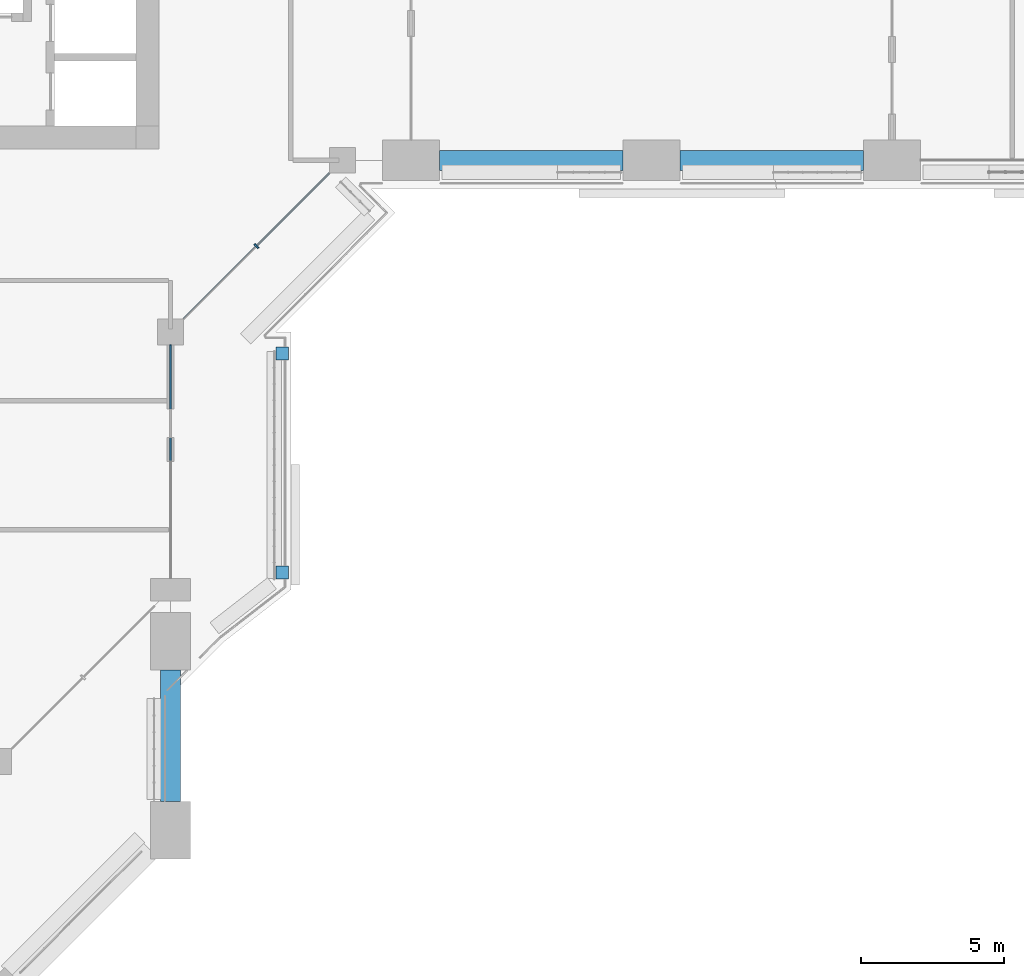
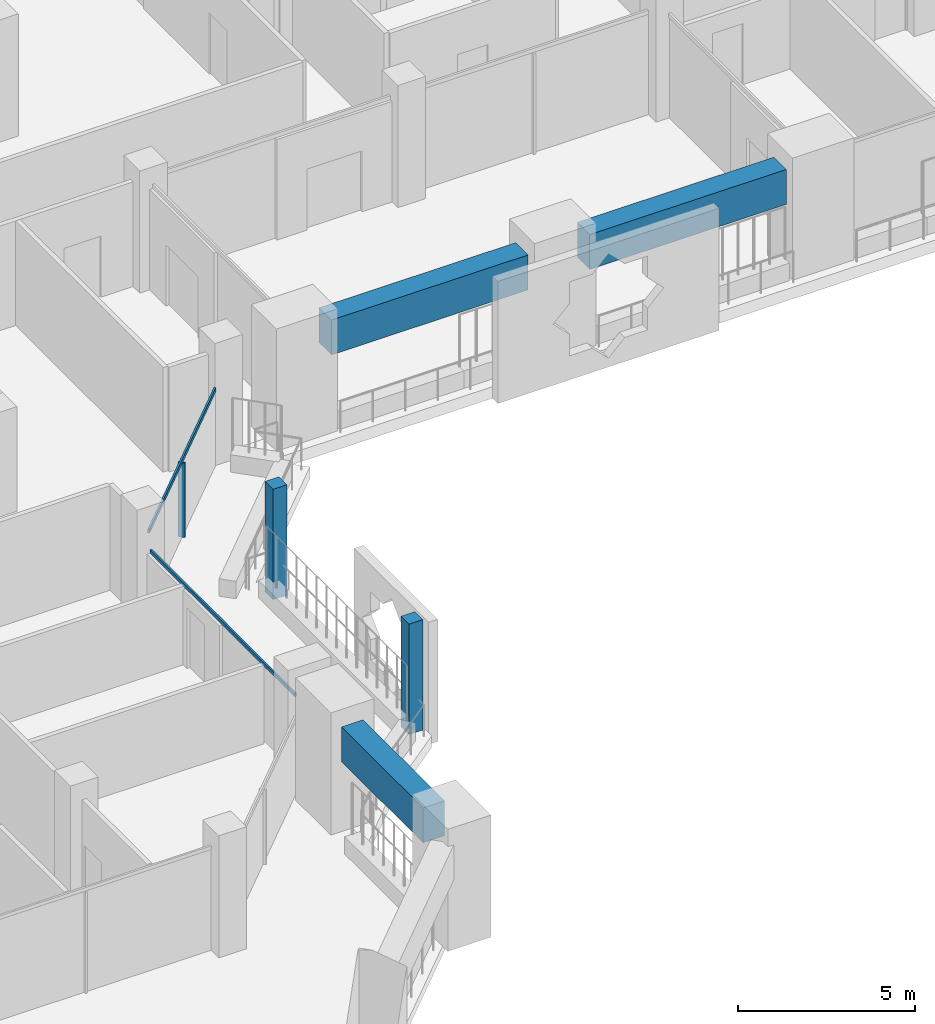
# One storey, part 4 of 24: 5 members, 3 beams, 3 elements without a shape of their own.
"""IFC4 building model written with IfcOpenShell, lengths in metres."""

import ifcopenshell
import ifcopenshell.guid

model = None  # the IFC model being written
_history = None  # IfcOwnerHistory: only IFC2X3 demands one
_inside = {}  # id of a spatial element -> (the spatial element, [elements in it])
_under = {}  # id of a project, library or spatial element -> (it, [spatial elements below it])
_declared = {}  # id of a project -> (the project, [libraries it declares])
_typed = {}  # id of a type object -> (the type object, [elements of that type])
_made_of = {}  # id of a material, layer set ... -> (it, [elements and type objects made of it])


def new_model(schema):
    """Start an empty IFC model of exactly this schema.

    Asked for "IFC4X3", IfcOpenShell would pick the latest addendum, in which some entities
    have other attributes; the version numbers below select the first issue.
    IFC2X3 requires an IfcOwnerHistory on every rooted entity: one is made here for all.
    """
    global model, _history
    if schema == "IFC4X3":
        model = ifcopenshell.file(schema_version=(4, 3, 0, 0))
    else:
        model = ifcopenshell.file(schema=schema)
    _inside.clear()
    _under.clear()
    _declared.clear()
    _typed.clear()
    _made_of.clear()
    _history = None
    if model.schema == "IFC2X3":
        org = make("IfcOrganization", Name="unknown")
        user = make(
            "IfcPersonAndOrganization",
            ThePerson=make("IfcPerson", FamilyName="unknown"),
            TheOrganization=org,
        )
        app = make(
            "IfcApplication",
            ApplicationDeveloper=org,
            Version="unknown",
            ApplicationFullName="unknown",
            ApplicationIdentifier="unknown",
        )
        _history = make(
            "IfcOwnerHistory",
            OwningUser=user,
            OwningApplication=app,
            ChangeAction="ADDED",
            CreationDate=0,
        )
    return model


def make(cls, **values):
    """One entity of the class cls with the attributes given. An attribute that is None is left unset."""
    return model.create_entity(
        cls, **{name: value for name, value in values.items() if value is not None}
    )


def rooted(cls, **values):
    """An entity with a GlobalId (a new one), such as an element, a storey or a relation."""
    return make(cls, GlobalId=ifcopenshell.guid.new(), OwnerHistory=_history, **values)


def si_unit(unit_type, name, prefix=None):
    """IfcSIUnit, for example si_unit("LENGTHUNIT", "METRE", prefix="MILLI")."""
    return make("IfcSIUnit", UnitType=unit_type, Prefix=prefix, Name=name)


def assignment(units):
    """IfcUnitAssignment: the units of a project."""
    return None if units is None else make("IfcUnitAssignment", Units=units)


def point(xyz):
    """IfcCartesianPoint."""
    return None if xyz is None else make("IfcCartesianPoint", Coordinates=xyz)


def direction(xyz):
    """IfcDirection."""
    return None if xyz is None else make("IfcDirection", DirectionRatios=xyz)


def frame(location, z_axis=None, x_axis=None):
    """IfcAxis2Placement3D, a coordinate frame: its origin and axes. An axis left out is left unset."""
    return make(
        "IfcAxis2Placement3D",
        Location=point(location),
        Axis=direction(z_axis),
        RefDirection=direction(x_axis),
    )


def frame_2d(location, x_axis=None):
    """IfcAxis2Placement2D, a coordinate frame in the plane: its origin and x axis."""
    return make(
        "IfcAxis2Placement2D", Location=point(location), RefDirection=direction(x_axis)
    )


def origin():
    """The frame at (0, 0, 0) with its axes left unset."""
    return frame((0.0, 0.0, 0.0))


def origin_2d():
    """The frame at (0, 0) in the plane with its x axis left unset."""
    return frame_2d((0.0, 0.0))


def place(relative_to, where):
    """IfcLocalPlacement: puts the frame where relative to a parent placement (None: the world)."""
    return make(
        "IfcLocalPlacement", PlacementRelTo=relative_to, RelativePlacement=where
    )


def context(
    kind, dimensions, precision=None, world=None, true_north=None, identifier=None
):
    """IfcGeometricRepresentationContext, for example the 3D "Model" context."""
    return make(
        "IfcGeometricRepresentationContext",
        ContextIdentifier=identifier,
        ContextType=kind,
        CoordinateSpaceDimension=dimensions,
        Precision=precision,
        WorldCoordinateSystem=world,
        TrueNorth=true_north,
    )


def subcontext(parent, identifier, kind, view, scale=None):
    """IfcGeometricRepresentationSubContext, for example "Body" below "Model"."""
    return make(
        "IfcGeometricRepresentationSubContext",
        ContextIdentifier=identifier,
        ContextType=kind,
        ParentContext=parent,
        TargetScale=scale,
        TargetView=view,
    )


def project(units=None, contexts=None):
    """IfcProject with its units and contexts."""
    return rooted(
        "IfcProject",
        Name="project",
        RepresentationContexts=contexts,
        UnitsInContext=assignment(units),
    )


def spatial(cls, under=None, at=None, **own):
    """A site, building, storey or space (cls), placed at a placement, below another one or the project."""
    s = rooted(cls, ObjectPlacement=at, **own)
    if under is not None:
        _under.setdefault(under.id(), (under, []))[1].append(s)
    return s


def profile(cls, at=None, kind="AREA", **sizes):
    """A parametric profile (cls). Its sizes go by their IFC names, for example OverallWidth=200.0."""
    return make(cls, ProfileType=kind, Position=at, **sizes)


def rectangle(**sizes):
    """IfcRectangleProfileDef."""
    return profile("IfcRectangleProfileDef", **sizes)


def extrude(swept, where, along, depth):
    """IfcExtrudedAreaSolid: the profile swept, set in the frame where, extruded along a direction by depth."""
    return make(
        "IfcExtrudedAreaSolid",
        SweptArea=swept,
        Position=where,
        ExtrudedDirection=direction(along),
        Depth=depth,
    )


def shape(context_of_items, identifier, shape_type, items):
    """IfcShapeRepresentation: the items that make up one representation, for example the "Body"."""
    return make(
        "IfcShapeRepresentation",
        ContextOfItems=context_of_items,
        RepresentationIdentifier=identifier,
        RepresentationType=shape_type,
        Items=items,
    )


def material(Name=None, Category=None):
    """IfcMaterial."""
    return make("IfcMaterial", Name=Name, Category=Category)


def layer(
    of_material, thickness, ventilated=None, Name=None, Category=None, Priority=None
):
    """IfcMaterialLayer: one layer of a wall or slab, of a material (None: an air gap)."""
    return make(
        "IfcMaterialLayer",
        Material=of_material,
        LayerThickness=thickness,
        IsVentilated=ventilated,
        Name=Name,
        Category=Category,
        Priority=Priority,
    )


def layer_set(layers, Name=None):
    """IfcMaterialLayerSet."""
    return make("IfcMaterialLayerSet", MaterialLayers=layers, LayerSetName=Name)


def material_profile(
    of_material, cross_section, Name=None, Category=None, Priority=None
):
    """IfcMaterialProfile: a cross section and its material."""
    return make(
        "IfcMaterialProfile",
        Name=Name,
        Material=of_material,
        Profile=cross_section,
        Priority=Priority,
        Category=Category,
    )


def profile_set(profiles, Name=None, composite=None):
    """IfcMaterialProfileSet."""
    return make(
        "IfcMaterialProfileSet",
        Name=Name,
        MaterialProfiles=profiles,
        CompositeProfile=composite,
    )


def made_of(thing, what):
    """Note that an element or type object is made of a material, layer set ...; save() writes the relation."""
    if what is not None:
        _made_of.setdefault(what.id(), (what, []))[1].append(thing)
    return thing


def type_object(cls, material=None, **own):
    """A type object (cls), such as IfcWallType, which elements share."""
    return made_of(rooted(cls, **own), material)


def element(
    cls,
    number,
    at=None,
    inside=None,
    cuts=None,
    type_object=None,
    material=None,
    context=None,
    identifier="Body",
    shape_type=None,
    held_by="IfcProductDefinitionShape",
    body=None,
    shapes=None,
    **own,
):
    """One element of the class cls, such as IfcWall. Its Tag is "e" and its number.

    at: its placement. inside: the storey or other place that contains it. cuts: it is an
    opening in that element (IfcRelVoidsElement). A single representation is given by context,
    identifier, shape_type and body (its items); several are given by shapes. held_by: the class
    of the entity that holds the representations. save() writes the other relations.
    """
    e = rooted(cls, Tag="e%d" % number, ObjectPlacement=at, **own)
    if body is not None:
        shapes = [shape(context, identifier, shape_type, body)]
    if shapes is not None:
        e.Representation = make(held_by, Representations=shapes)
    if inside is not None:
        _inside.setdefault(inside.id(), (inside, []))[1].append(e)
    if cuts is not None:
        rooted(
            "IfcRelVoidsElement", RelatingBuildingElement=cuts, RelatedOpeningElement=e
        )
    if type_object is not None:
        _typed.setdefault(type_object.id(), (type_object, []))[1].append(e)
    return made_of(e, material)


def aggregate(whole, parts):
    """IfcRelAggregates: a whole, such as a stair, and the parts it consists of."""
    return rooted("IfcRelAggregates", RelatingObject=whole, RelatedObjects=parts)


def save(model, path):
    """Write the relations noted so far, then the file.

    IfcRelAggregates (storeys below a building ...), IfcRelContainedInSpatialStructure (elements
    in a storey), IfcRelDefinesByType, IfcRelAssociatesMaterial and IfcRelDeclares: one each for
    every whole, place, type object, material and project.
    """
    for whole, parts in _under.values():
        aggregate(whole, parts)
    for where, things in _inside.values():
        rooted(
            "IfcRelContainedInSpatialStructure",
            RelatedElements=things,
            RelatingStructure=where,
        )
    for kind, things in _typed.values():
        rooted("IfcRelDefinesByType", RelatedObjects=things, RelatingType=kind)
    for what, things in _made_of.values():
        rooted("IfcRelAssociatesMaterial", RelatedObjects=things, RelatingMaterial=what)
    for by, libraries in _declared.values():
        rooted("IfcRelDeclares", RelatingContext=by, RelatedDefinitions=libraries)
    model.write(path)


model = new_model("IFC4")

# Units and contexts
model_context = context("Model", 3, precision=1e-05, world=origin(), true_north=direction((0.0, 1.0)))
body_context = subcontext(model_context, "Body", "Model", "MODEL_VIEW")
ifc_project = project(units=[si_unit("LENGTHUNIT", "METRE"), si_unit("AREAUNIT", "SQUARE_METRE"), si_unit("VOLUMEUNIT", "CUBIC_METRE"), si_unit("PLANEANGLEUNIT", "RADIAN"), si_unit("MASSUNIT", "GRAM", prefix="KILO")], contexts=[model_context])

# Site, building, storey
site_placement = place(None, origin())
site = spatial("IfcSite", under=ifc_project, at=site_placement, CompositionType="ELEMENT")
building_placement = place(site_placement, origin())
building = spatial("IfcBuilding", under=site, at=building_placement, Name="Kawkab Arch Medical Tower", CompositionType="ELEMENT")
storey_placement = place(building_placement, frame((0.0, 0.0, 218.0)))
storey = spatial("IfcBuildingStorey", under=building, at=storey_placement, Name="L50", CompositionType="ELEMENT", Elevation=218.0)

# Curtain wall, member
ifc_material_1 = material(Name="Bronze anodised aluminium curtain wall frame", Category="aluminium")
ifc_layer_1 = layer(ifc_material_1, 0.159912109375)
ifc_layer_set_1 = layer_set([ifc_layer_1], Name="Bronze anodised aluminium curtain wall frame")
curtain_wall_type_1 = type_object("IfcCurtainWallType", Name="CW1 ward curtain wall", PredefinedType="NOTDEFINED", material=ifc_layer_set_1)
placement = place(storey_placement, origin())
curtain_wall_1 = element("IfcCurtainWall", 1, at=placement, inside=storey, type_object=curtain_wall_type_1, Name="CW1 Ward curtain wall R15", PredefinedType="NOTDEFINED")
ifc_material_2 = material(Name="Bronze anodised aluminium curtain wall frame", Category="aluminium")
ifc_material_profile_1 = material_profile(ifc_material_2, rectangle(XDim=0.06005859375, YDim=0.1201171875, at=origin_2d()), Name="AL 60x120")
ifc_profile_set_1 = profile_set([ifc_material_profile_1], Name="Bronze anodised aluminium curtain wall frame")
member_type_1 = type_object("IfcMemberType", Name="CW1 transom 120 x 60", PredefinedType="USERDEFINED", material=ifc_profile_set_1)
member_1_placement = place(storey_placement, frame((25.199951171875, -39.800048828125, 2.639892578125), z_axis=(0.0, 1.0, 0.0), x_axis=(-1.0, 0.0, 0.0)))
member_1 = element("IfcMember", 2, at=member_1_placement, type_object=member_type_1, Name="CW1 transom 1", ObjectType="TRANSOM", PredefinedType="USERDEFINED", context=body_context, shape_type="SweptSolid", body=[
    extrude(rectangle(XDim=0.06005859375, YDim=0.1201171875, at=origin_2d()), origin(), (0.0, 0.0, 1.0), 8.150146484375),
])
aggregate(curtain_wall_1, [member_1])

# Curtain wall, members
ifc_material_3 = material(Name="Bronze anodised aluminium curtain wall frame", Category="aluminium")
ifc_layer_2 = layer(ifc_material_3, 0.159912109375)
ifc_layer_set_2 = layer_set([ifc_layer_2], Name="Bronze anodised aluminium curtain wall frame")
curtain_wall_type_2 = type_object("IfcCurtainWallType", Name="CW2 chamfer curtain wall", PredefinedType="NOTDEFINED", material=ifc_layer_set_2)
curtain_wall_2 = element("IfcCurtainWall", 3, at=placement, inside=storey, type_object=curtain_wall_type_2, Name="CW2 Chamfer curtain wall R16", PredefinedType="NOTDEFINED")
ifc_material_4 = material(Name="Bronze anodised aluminium curtain wall frame", Category="aluminium")
ifc_material_profile_2 = material_profile(ifc_material_4, rectangle(XDim=0.199951171875, YDim=0.06005859375, at=origin_2d()), Name="AL 60x200")
ifc_profile_set_2 = profile_set([ifc_material_profile_2], Name="Bronze anodised aluminium curtain wall frame")
member_type_2 = type_object("IfcMemberType", Name="CW2 mullion 60 x 200", PredefinedType="MULLION", material=ifc_profile_set_2)
member_2_placement = place(storey_placement, frame((28.199951171875, -28.199951171875, 0.0), z_axis=(0.0, 0.0, 1.0), x_axis=(-0.707106781187, 0.707106781187, 0.0)))
member_2 = element("IfcMember", 4, at=member_2_placement, type_object=member_type_2, Name="CW2 mullion 1.1", PredefinedType="MULLION", context=body_context, shape_type="SweptSolid", body=[
    extrude(rectangle(XDim=0.199951171875, YDim=0.06005859375, at=origin_2d()), origin(), (0.0, 0.0, 1.0), 2.56005859375),
])
ifc_material_5 = material(Name="Bronze anodised aluminium curtain wall frame", Category="aluminium")
ifc_material_profile_3 = material_profile(ifc_material_5, rectangle(XDim=0.06005859375, YDim=0.139892578125, at=origin_2d()), Name="AL 60x140")
ifc_profile_set_3 = profile_set([ifc_material_profile_3], Name="Bronze anodised aluminium curtain wall frame")
member_type_3 = type_object("IfcMemberType", Name="CW2 transom 140 x 60", PredefinedType="USERDEFINED", material=ifc_profile_set_3)
member_3_placement = place(storey_placement, frame((25.64990234375, -30.75, 2.6298828125), z_axis=(0.707106781187, 0.707106781187, 0.0), x_axis=(-0.707106781187, 0.707106781187, 0.0)))
member_3 = element("IfcMember", 5, at=member_3_placement, type_object=member_type_3, Name="CW2 transom 1", ObjectType="TRANSOM", PredefinedType="USERDEFINED", context=body_context, shape_type="SweptSolid", body=[
    extrude(rectangle(XDim=0.06005859375, YDim=0.139892578125, at=origin_2d()), origin(), (0.0, 0.0, 1.0), 7.212646484375),
])
aggregate(curtain_wall_2, [member_3, member_2])

ifc_material_6 = material(Name="Bronze anodised aluminium climber frame, planted", Category="aluminium")
ifc_layer_3 = layer(ifc_material_6, 0.449951171875)
ifc_layer_set_3 = layer_set([ifc_layer_3], Name="Bronze anodised aluminium climber frame, planted")
curtain_wall_type_3 = type_object("IfcCurtainWallType", Name="Planted climber frame", PredefinedType="NOTDEFINED", material=ifc_layer_set_3)
curtain_wall_3 = element("IfcCurtainWall", 6, at=placement, inside=storey, type_object=curtain_wall_type_3, Name="Planted climber frame L50", PredefinedType="NOTDEFINED")
ifc_material_7 = material(Name="Bronze anodised aluminium climber frame, planted", Category="aluminium")
ifc_material_profile_4 = material_profile(ifc_material_7, rectangle(XDim=0.449951171875, YDim=0.449951171875, at=origin_2d()), Name="Post 450x450")
ifc_profile_set_4 = profile_set([ifc_material_profile_4], Name="Bronze anodised aluminium climber frame, planted")
member_type_4 = type_object("IfcMemberType", Name="Planted climber post 450 x 450", PredefinedType="MULLION", material=ifc_profile_set_4)
member_4_placement = place(storey_placement, frame((29.10009765625, -31.949951171875, 0.0), z_axis=(0.0, 0.0, 1.0), x_axis=(1.0, 0.0, 0.0)))
member_4 = element("IfcMember", 7, at=member_4_placement, type_object=member_type_4, Name="Planted climber post L50.LOG-01-01.3", PredefinedType="MULLION", context=body_context, shape_type="SweptSolid", body=[
    extrude(rectangle(XDim=0.449951171875, YDim=0.449951171875, at=origin_2d()), origin(), (0.0, 0.0, 1.0), 3.800048828125),
])
member_5_placement = place(storey_placement, frame((29.10009765625, -39.60302734375, 0.0), z_axis=(0.0, 0.0, 1.0), x_axis=(1.0, 0.0, 0.0)))
member_5 = element("IfcMember", 8, at=member_5_placement, type_object=member_type_4, Name="Planted climber post L50.LOG-01-01.4", PredefinedType="MULLION", context=body_context, shape_type="SweptSolid", body=[
    extrude(rectangle(XDim=0.449951171875, YDim=0.449951171875, at=origin_2d()), origin(), (0.0, 0.0, 1.0), 3.800048828125),
])
aggregate(curtain_wall_3, [member_4, member_5])

# Beams
ifc_material_8 = material(Name="Concrete C45/55", Category="concrete")
ifc_material_profile_5 = material_profile(ifc_material_8, rectangle(XDim=0.699951171875, YDim=1.199951171875, at=origin_2d()), Name="RC 700x1200")
ifc_profile_set_5 = profile_set([ifc_material_profile_5], Name="Concrete C45/55")
beam_type = type_object("IfcBeamType", Name="RC 700x1200 beam C45/55", PredefinedType="BEAM", material=ifc_profile_set_5)
beam_placement = place(storey_placement, frame((25.199951171875, -43.0, 3.0), z_axis=(0.0, -1.0, 0.0), x_axis=(1.0, 0.0, 0.0)))
element("IfcBeam", 9, at=beam_placement, inside=storey, type_object=beam_type, Name="Terrace frame beam TF-L50-1-L51-02", PredefinedType="BEAM", context=body_context, shape_type="SweptSolid", body=[
    extrude(rectangle(XDim=0.699951171875, YDim=1.199951171875, at=origin_2d()), origin(), (0.0, 0.0, 1.0), 4.60009765625),
])
for number, where, z_axis, x_axis, name in (
    (10, (49.39990234375, -25.199951171875, 3.0), (-1.0, 0.0, 0.0), (0.0, -1.0, 0.0), "Terrace frame beam TF-L50-2-L51-01"),
    (11, (41.0, -25.199951171875, 3.0), (-1.0, 0.0, 0.0), (0.0, -1.0, 0.0), "Terrace frame beam TF-L50-2-L51-02"),
):
    element("IfcBeam", number, at=place(storey_placement, frame(where, z_axis=z_axis, x_axis=x_axis)), inside=storey, type_object=beam_type, Name=name, PredefinedType="BEAM", context=body_context, shape_type="SweptSolid", body=[
        extrude(rectangle(XDim=0.699951171875, YDim=1.199951171875, at=origin_2d()), origin(), (0.0, 0.0, 1.0), 6.39990234375),
    ])

save(model, "model.ifc")
